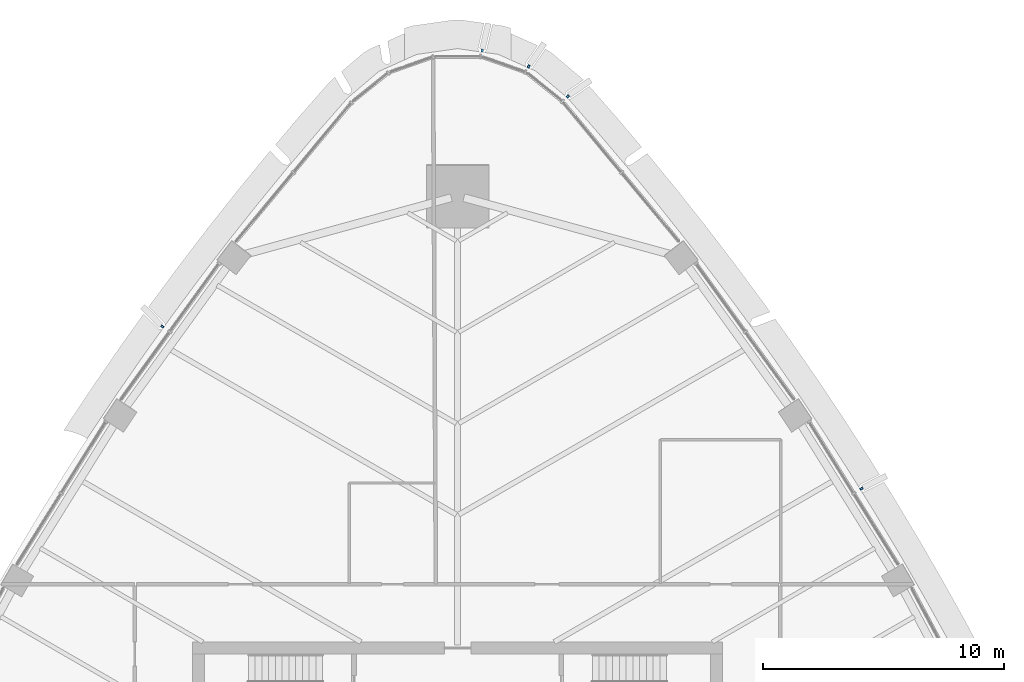
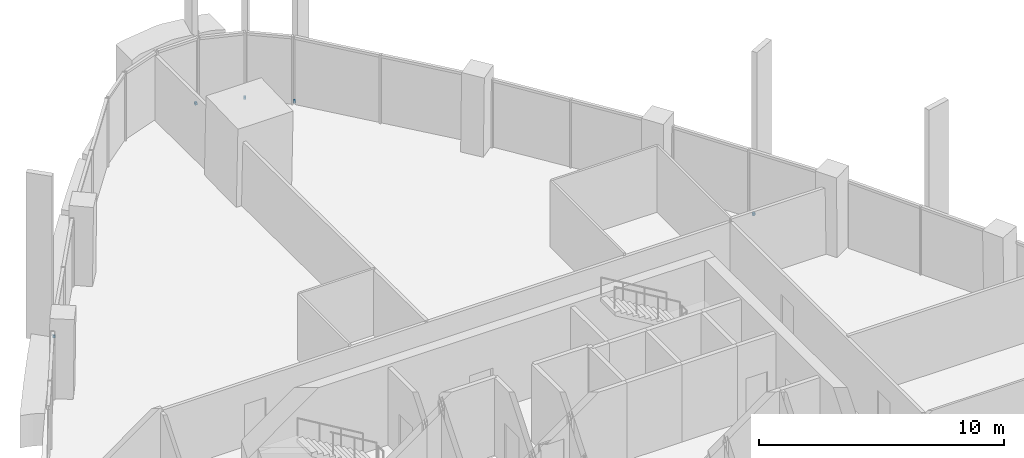
# One storey, part 14 of 17: 5 discrete accessories.
"""IFC4 building model written with IfcOpenShell, lengths in metres."""

import ifcopenshell
import ifcopenshell.guid

model = None  # the IFC model being written
_history = None  # IfcOwnerHistory: only IFC2X3 demands one
_inside = {}  # id of a spatial element -> (the spatial element, [elements in it])
_under = {}  # id of a project, library or spatial element -> (it, [spatial elements below it])
_declared = {}  # id of a project -> (the project, [libraries it declares])
_typed = {}  # id of a type object -> (the type object, [elements of that type])
_made_of = {}  # id of a material, layer set ... -> (it, [elements and type objects made of it])


def new_model(schema):
    """Start an empty IFC model of exactly this schema.

    Asked for "IFC4X3", IfcOpenShell would pick the latest addendum, in which some entities
    have other attributes; the version numbers below select the first issue.
    IFC2X3 requires an IfcOwnerHistory on every rooted entity: one is made here for all.
    """
    global model, _history
    if schema == "IFC4X3":
        model = ifcopenshell.file(schema_version=(4, 3, 0, 0))
    else:
        model = ifcopenshell.file(schema=schema)
    _inside.clear()
    _under.clear()
    _declared.clear()
    _typed.clear()
    _made_of.clear()
    _history = None
    if model.schema == "IFC2X3":
        org = make("IfcOrganization", Name="unknown")
        user = make(
            "IfcPersonAndOrganization",
            ThePerson=make("IfcPerson", FamilyName="unknown"),
            TheOrganization=org,
        )
        app = make(
            "IfcApplication",
            ApplicationDeveloper=org,
            Version="unknown",
            ApplicationFullName="unknown",
            ApplicationIdentifier="unknown",
        )
        _history = make(
            "IfcOwnerHistory",
            OwningUser=user,
            OwningApplication=app,
            ChangeAction="ADDED",
            CreationDate=0,
        )
    return model


def make(cls, **values):
    """One entity of the class cls with the attributes given. An attribute that is None is left unset."""
    return model.create_entity(
        cls, **{name: value for name, value in values.items() if value is not None}
    )


def rooted(cls, **values):
    """An entity with a GlobalId (a new one), such as an element, a storey or a relation."""
    return make(cls, GlobalId=ifcopenshell.guid.new(), OwnerHistory=_history, **values)


def si_unit(unit_type, name, prefix=None):
    """IfcSIUnit, for example si_unit("LENGTHUNIT", "METRE", prefix="MILLI")."""
    return make("IfcSIUnit", UnitType=unit_type, Prefix=prefix, Name=name)


def assignment(units):
    """IfcUnitAssignment: the units of a project."""
    return None if units is None else make("IfcUnitAssignment", Units=units)


def point(xyz):
    """IfcCartesianPoint."""
    return None if xyz is None else make("IfcCartesianPoint", Coordinates=xyz)


def direction(xyz):
    """IfcDirection."""
    return None if xyz is None else make("IfcDirection", DirectionRatios=xyz)


def frame(location, z_axis=None, x_axis=None):
    """IfcAxis2Placement3D, a coordinate frame: its origin and axes. An axis left out is left unset."""
    return make(
        "IfcAxis2Placement3D",
        Location=point(location),
        Axis=direction(z_axis),
        RefDirection=direction(x_axis),
    )


def frame_2d(location, x_axis=None):
    """IfcAxis2Placement2D, a coordinate frame in the plane: its origin and x axis."""
    return make(
        "IfcAxis2Placement2D", Location=point(location), RefDirection=direction(x_axis)
    )


def origin():
    """The frame at (0, 0, 0) with its axes left unset."""
    return frame((0.0, 0.0, 0.0))


def origin_2d():
    """The frame at (0, 0) in the plane with its x axis left unset."""
    return frame_2d((0.0, 0.0))


def place(relative_to, where):
    """IfcLocalPlacement: puts the frame where relative to a parent placement (None: the world)."""
    return make(
        "IfcLocalPlacement", PlacementRelTo=relative_to, RelativePlacement=where
    )


def context(
    kind, dimensions, precision=None, world=None, true_north=None, identifier=None
):
    """IfcGeometricRepresentationContext, for example the 3D "Model" context."""
    return make(
        "IfcGeometricRepresentationContext",
        ContextIdentifier=identifier,
        ContextType=kind,
        CoordinateSpaceDimension=dimensions,
        Precision=precision,
        WorldCoordinateSystem=world,
        TrueNorth=true_north,
    )


def subcontext(parent, identifier, kind, view, scale=None):
    """IfcGeometricRepresentationSubContext, for example "Body" below "Model"."""
    return make(
        "IfcGeometricRepresentationSubContext",
        ContextIdentifier=identifier,
        ContextType=kind,
        ParentContext=parent,
        TargetScale=scale,
        TargetView=view,
    )


def project(units=None, contexts=None):
    """IfcProject with its units and contexts."""
    return rooted(
        "IfcProject",
        Name="project",
        RepresentationContexts=contexts,
        UnitsInContext=assignment(units),
    )


def spatial(cls, under=None, at=None, **own):
    """A site, building, storey or space (cls), placed at a placement, below another one or the project."""
    s = rooted(cls, ObjectPlacement=at, **own)
    if under is not None:
        _under.setdefault(under.id(), (under, []))[1].append(s)
    return s


def profile(cls, at=None, kind="AREA", **sizes):
    """A parametric profile (cls). Its sizes go by their IFC names, for example OverallWidth=200.0."""
    return make(cls, ProfileType=kind, Position=at, **sizes)


def rectangle(**sizes):
    """IfcRectangleProfileDef."""
    return profile("IfcRectangleProfileDef", **sizes)


def extrude(swept, where, along, depth):
    """IfcExtrudedAreaSolid: the profile swept, set in the frame where, extruded along a direction by depth."""
    return make(
        "IfcExtrudedAreaSolid",
        SweptArea=swept,
        Position=where,
        ExtrudedDirection=direction(along),
        Depth=depth,
    )


def shape(context_of_items, identifier, shape_type, items):
    """IfcShapeRepresentation: the items that make up one representation, for example the "Body"."""
    return make(
        "IfcShapeRepresentation",
        ContextOfItems=context_of_items,
        RepresentationIdentifier=identifier,
        RepresentationType=shape_type,
        Items=items,
    )


def material(Name=None, Category=None):
    """IfcMaterial."""
    return make("IfcMaterial", Name=Name, Category=Category)


def made_of(thing, what):
    """Note that an element or type object is made of a material, layer set ...; save() writes the relation."""
    if what is not None:
        _made_of.setdefault(what.id(), (what, []))[1].append(thing)
    return thing


def type_object(cls, material=None, **own):
    """A type object (cls), such as IfcWallType, which elements share."""
    return made_of(rooted(cls, **own), material)


def element(
    cls,
    number,
    at=None,
    inside=None,
    cuts=None,
    type_object=None,
    material=None,
    context=None,
    identifier="Body",
    shape_type=None,
    held_by="IfcProductDefinitionShape",
    body=None,
    shapes=None,
    **own,
):
    """One element of the class cls, such as IfcWall. Its Tag is "e" and its number.

    at: its placement. inside: the storey or other place that contains it. cuts: it is an
    opening in that element (IfcRelVoidsElement). A single representation is given by context,
    identifier, shape_type and body (its items); several are given by shapes. held_by: the class
    of the entity that holds the representations. save() writes the other relations.
    """
    e = rooted(cls, Tag="e%d" % number, ObjectPlacement=at, **own)
    if body is not None:
        shapes = [shape(context, identifier, shape_type, body)]
    if shapes is not None:
        e.Representation = make(held_by, Representations=shapes)
    if inside is not None:
        _inside.setdefault(inside.id(), (inside, []))[1].append(e)
    if cuts is not None:
        rooted(
            "IfcRelVoidsElement", RelatingBuildingElement=cuts, RelatedOpeningElement=e
        )
    if type_object is not None:
        _typed.setdefault(type_object.id(), (type_object, []))[1].append(e)
    return made_of(e, material)


def aggregate(whole, parts):
    """IfcRelAggregates: a whole, such as a stair, and the parts it consists of."""
    return rooted("IfcRelAggregates", RelatingObject=whole, RelatedObjects=parts)


def save(model, path):
    """Write the relations noted so far, then the file.

    IfcRelAggregates (storeys below a building ...), IfcRelContainedInSpatialStructure (elements
    in a storey), IfcRelDefinesByType, IfcRelAssociatesMaterial and IfcRelDeclares: one each for
    every whole, place, type object, material and project.
    """
    for whole, parts in _under.values():
        aggregate(whole, parts)
    for where, things in _inside.values():
        rooted(
            "IfcRelContainedInSpatialStructure",
            RelatedElements=things,
            RelatingStructure=where,
        )
    for kind, things in _typed.values():
        rooted("IfcRelDefinesByType", RelatedObjects=things, RelatingType=kind)
    for what, things in _made_of.values():
        rooted("IfcRelAssociatesMaterial", RelatedObjects=things, RelatingMaterial=what)
    for by, libraries in _declared.values():
        rooted("IfcRelDeclares", RelatingContext=by, RelatedDefinitions=libraries)
    model.write(path)


model = new_model("IFC4")

# Units and contexts
model_context = context("Model", 3, precision=1e-05, world=origin(), true_north=direction((0.0, 1.0)))
body_context = subcontext(model_context, "Body", "Model", "MODEL_VIEW")
ifc_project = project(units=[si_unit("LENGTHUNIT", "METRE"), si_unit("AREAUNIT", "SQUARE_METRE"), si_unit("VOLUMEUNIT", "CUBIC_METRE"), si_unit("PLANEANGLEUNIT", "RADIAN"), si_unit("MASSUNIT", "GRAM", prefix="KILO")], contexts=[model_context])

# Site, building, storey
site_placement = place(None, origin())
site = spatial("IfcSite", under=ifc_project, at=site_placement, CompositionType="ELEMENT")
building_placement = place(site_placement, origin())
building = spatial("IfcBuilding", under=site, at=building_placement, Name="Sierra Prisma Convention Tower", CompositionType="ELEMENT")
storey_placement = place(building_placement, frame((0.0, 0.0, 201.800048828125)))
storey = spatial("IfcBuildingStorey", under=building, at=storey_placement, Name="L45", CompositionType="ELEMENT", Elevation=201.800048828125)

# Discrete accessories
ifc_material = material(Name="Stainless steel 316", Category="steel")
discrete_accessory_type = type_object("IfcDiscreteAccessoryType", Name="Fin bracket", PredefinedType="BRACKET", material=ifc_material)
for number, where, z_axis, x_axis, name in (
    (1, (16.768798828125, 14.36474609375, -0.135009765625), (0.0, 0.0, 1.0), (0.849285271677, 0.527934207371, 0.0), "Fin bracket L45.33 base"),
    (2, (4.579833984375, 30.648193359375, -0.135009765625), (0.0, 0.0, 1.0), (0.646541305686, 0.762878981256, 0.0), "Fin bracket L45.40 base"),
    (3, (2.9541015625, 31.89111328125, -0.135009765625), (0.0, 0.0, 1.0), (0.409426309014, 0.912343190629, 0.0), "Fin bracket L45.41 base"),
    (4, (1.02001953125, 32.5458984375, -0.135009765625), (0.0, 0.0, 1.0), (0.140145523939, 0.990130916657, 0.0), "Fin bracket L45.42 base"),
    (5, (-12.25, 21.095947265625, -0.135009765625), (0.0, 0.0, 1.0), (-0.813121583014, 0.582093885242, 0.0), "Fin bracket L45.49 base"),
):
    element("IfcDiscreteAccessory", number, at=place(storey_placement, frame(where, z_axis=z_axis, x_axis=x_axis)), inside=storey, type_object=discrete_accessory_type, Name=name, PredefinedType="BRACKET", context=body_context, shape_type="SweptSolid", body=[
        extrude(rectangle(XDim=0.1201171875, YDim=0.10009765625, at=origin_2d()), origin(), (0.0, 0.0, 1.0), 0.1201171875),
    ])

save(model, "model.ifc")
